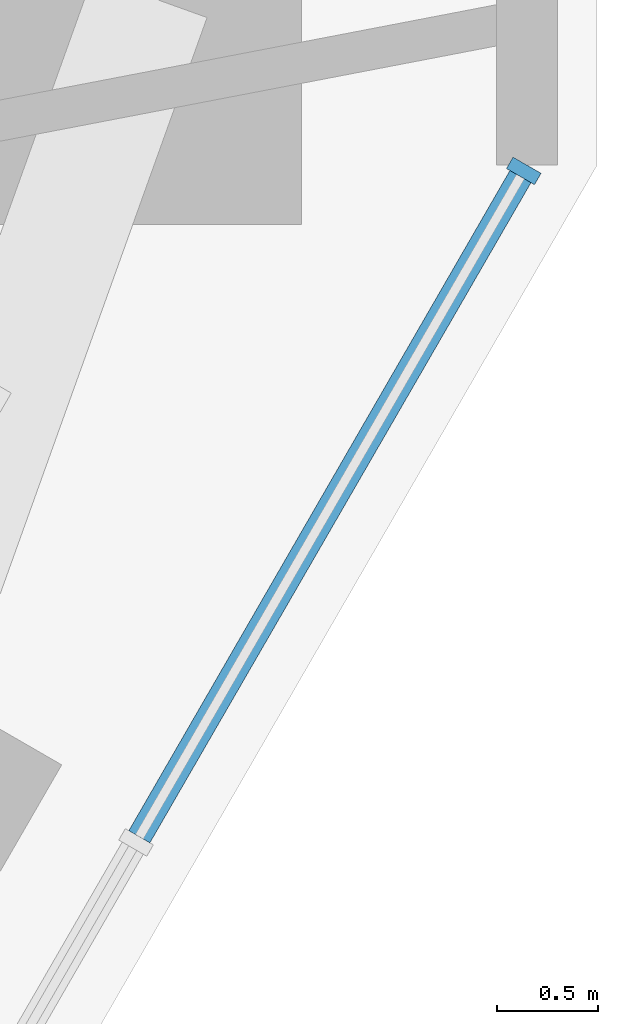
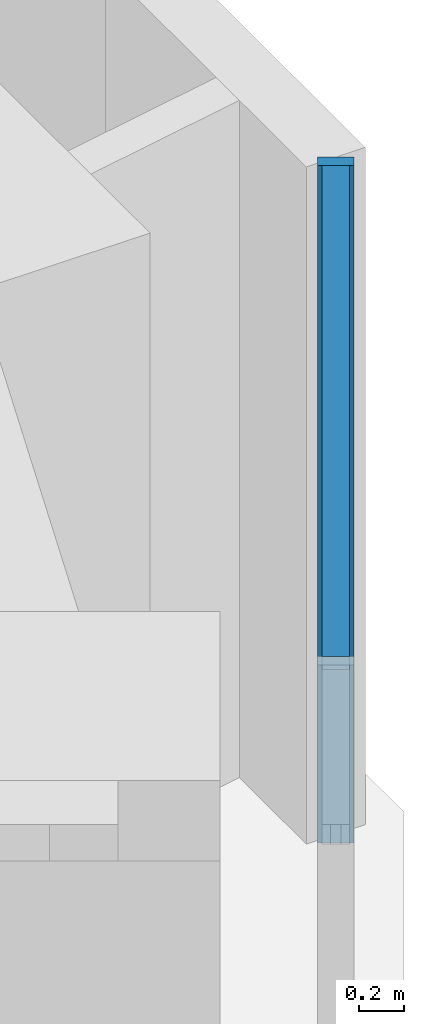
# One storey, part 6 of 16: 2 members, 1 element without a shape of its own.
"""IFC4 building model written with IfcOpenShell, lengths in metres."""

from ifc_helpers import new_model, si_unit, direction, frame, origin, origin_2d, place, context, subcontext, project, spatial, rectangle, extrude, material, material_profile, profile_set, type_object, element, aggregate, save


model = new_model("IFC4")

# Units and contexts
model_context = context("Model", 3, precision=1e-05, world=origin(), true_north=direction((0.0, 1.0)))
body_context = subcontext(model_context, "Body", "Model", "MODEL_VIEW")
ifc_project = project(units=[si_unit("LENGTHUNIT", "METRE"), si_unit("AREAUNIT", "SQUARE_METRE"), si_unit("VOLUMEUNIT", "CUBIC_METRE"), si_unit("PLANEANGLEUNIT", "RADIAN"), si_unit("MASSUNIT", "GRAM", prefix="KILO")], contexts=[model_context])

# Site, building, storey
site_placement = place(None, origin())
site = spatial("IfcSite", under=ifc_project, at=site_placement, CompositionType="ELEMENT")
building_placement = place(site_placement, origin())
building = spatial("IfcBuilding", under=site, at=building_placement, Name="Sandreach Pilgrim Tower", CompositionType="ELEMENT")
storey_placement = place(building_placement, frame((0.0, 0.0, 202.199951171875)))
storey = spatial("IfcBuildingStorey", under=building, at=storey_placement, Name="L50", CompositionType="ELEMENT", Elevation=202.199951171875)

# Curtain wall, members
ifc_material_1 = material(Name="Aluminium framed curtain wall", Category="aluminium")
curtain_wall_type = type_object("IfcCurtainWallType", Name="Upper hotel tower curtain wall", PredefinedType="NOTDEFINED", material=ifc_material_1)
curtain_wall_placement = place(storey_placement, origin())
curtain_wall = element("IfcCurtainWall", 1, at=curtain_wall_placement, inside=storey, type_object=curtain_wall_type, Name="CW-3 L50 SE", PredefinedType="NOTDEFINED")
ifc_material_2 = material(Name="Aluminium extrusion", Category="aluminium")
ifc_material_profile_1 = material_profile(ifc_material_2, rectangle(XDim=0.06494140625, YDim=0.159912109375, at=origin_2d()), Name="CW-3M 65X160")
ifc_profile_set_1 = profile_set([ifc_material_profile_1], Name="Aluminium extrusion")
member_type_1 = type_object("IfcMemberType", Name="CW-3 mullion", PredefinedType="MULLION", material=ifc_profile_set_1)
member_1_placement = place(storey_placement, frame((27.00390625, 4.451904296875, 0.0), z_axis=(0.0, 0.0, 1.0), x_axis=(-0.5, -0.866025403784, 0.0)))
member_1 = element("IfcMember", 2, at=member_1_placement, type_object=member_type_1, Name="CW-3 mullion 1", PredefinedType="MULLION", context=body_context, shape_type="SweptSolid", body=[
    extrude(rectangle(XDim=0.06494140625, YDim=0.159912109375, at=origin_2d()), origin(), (0.0, 0.0, 1.0), 3.64013671875),
])
ifc_material_3 = material(Name="Aluminium extrusion", Category="aluminium")
ifc_material_profile_2 = material_profile(ifc_material_3, rectangle(XDim=0.1201171875, YDim=0.070068359375, at=origin_2d()), Name="CW-3T 120X70")
ifc_profile_set_2 = profile_set([ifc_material_profile_2], Name="Aluminium extrusion")
member_type_2 = type_object("IfcMemberType", Name="CW-3 transom", PredefinedType="USERDEFINED", material=ifc_profile_set_2)
member_2_placement = place(storey_placement, frame((26.987548828125, 4.423828125, 3.60498046875), z_axis=(-0.499944992379, -0.86605716012, 0.0), x_axis=(0.86605716012, -0.499944992379, 0.0)))
member_2 = element("IfcMember", 3, at=member_2_placement, type_object=member_type_2, Name="CW-3 head transom 1", ObjectType="TRANSOM", PredefinedType="USERDEFINED", context=body_context, shape_type="SweptSolid", body=[
    extrude(rectangle(XDim=0.1201171875, YDim=0.070068359375, at=origin_2d()), origin(), (0.0, 0.0, 1.0), 3.76708984375),
])
aggregate(curtain_wall, [member_1, member_2])

save(model, "model.ifc")
